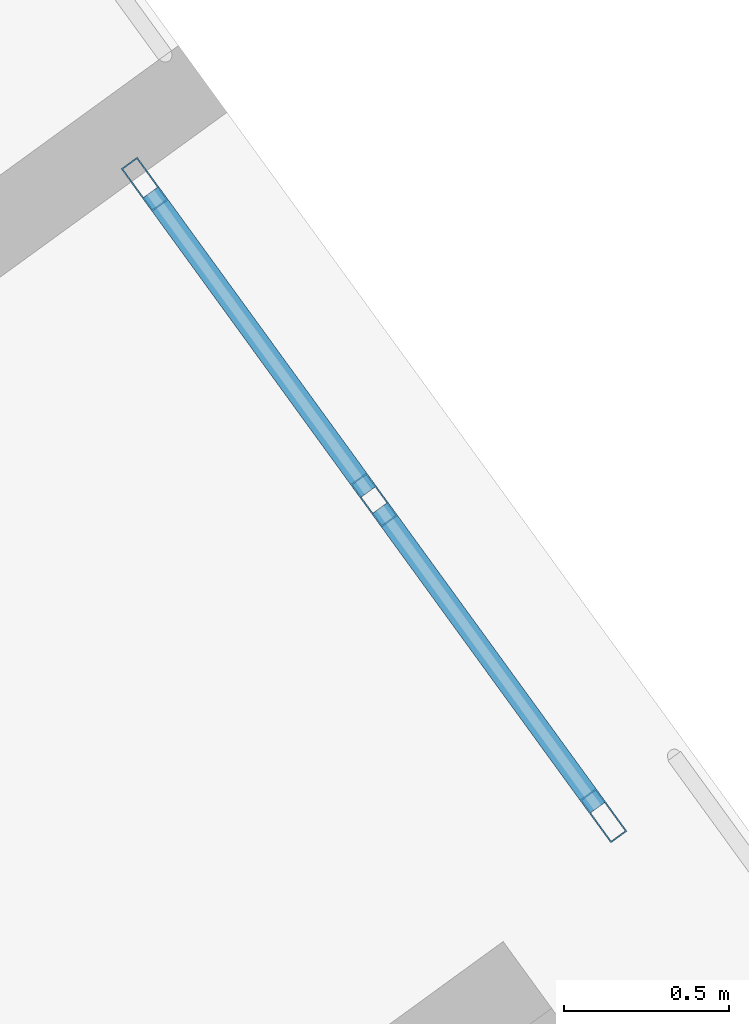
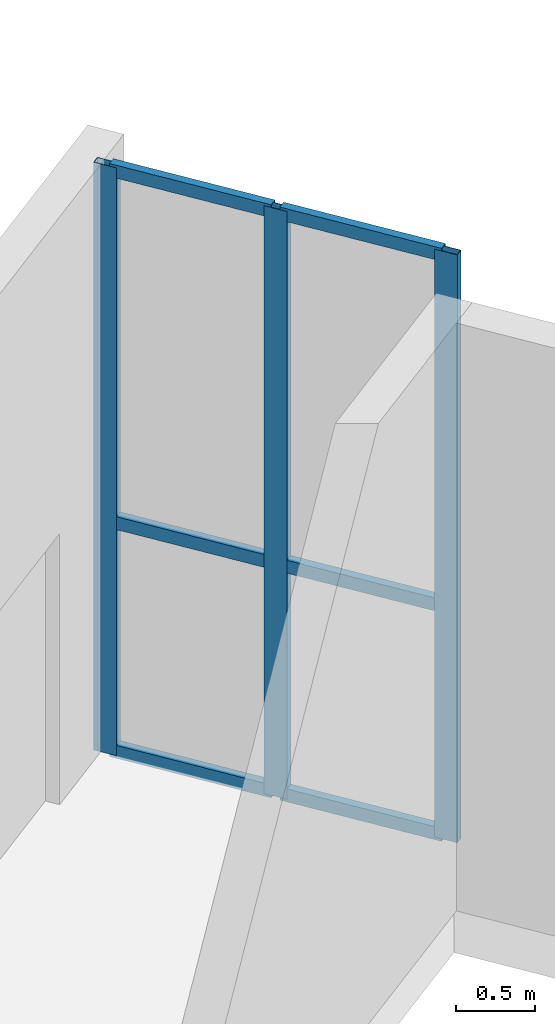
# One storey, part 89 of 182: 9 members, 1 element without a shape of its own.
"""IFC4 building model written with IfcOpenShell, lengths in metres."""

from ifc_helpers import new_model, si_unit, direction, frame, origin, origin_2d, place, context, subcontext, project, spatial, hollow_rectangle, extrude, material, material_profile, profile_set, type_object, element, aggregate, save


model = new_model("IFC4")

# Units and contexts
model_context = context("Model", 3, precision=1e-05, world=origin(), true_north=direction((0.0, 1.0)))
body_context = subcontext(model_context, "Body", "Model", "MODEL_VIEW")
ifc_project = project(units=[si_unit("LENGTHUNIT", "METRE"), si_unit("AREAUNIT", "SQUARE_METRE"), si_unit("VOLUMEUNIT", "CUBIC_METRE"), si_unit("PLANEANGLEUNIT", "RADIAN"), si_unit("MASSUNIT", "GRAM", prefix="KILO")], contexts=[model_context])

# Site, building, storey
site_placement = place(None, origin())
site = spatial("IfcSite", under=ifc_project, at=site_placement, CompositionType="ELEMENT")
building_placement = place(site_placement, origin())
building = spatial("IfcBuilding", under=site, at=building_placement, Name="Okhra Congress Centre", CompositionType="ELEMENT")
storey_placement = place(building_placement, frame((0.0, 0.0, 7.199951171875)))
storey = spatial("IfcBuildingStorey", under=building, at=storey_placement, Name="L01", CompositionType="ELEMENT", Elevation=7.199951171875)

# Curtain wall, members
ifc_material_1 = material(Name="Aluminium curtain wall, triple glazing", Category="aluminium")
curtain_wall_type = type_object("IfcCurtainWallType", Name="Curtain wall 1500 module", PredefinedType="NOTDEFINED", material=ifc_material_1)
curtain_wall_placement = place(storey_placement, origin())
curtain_wall = element("IfcCurtainWall", 1, at=curtain_wall_placement, inside=storey, type_object=curtain_wall_type, Name="Lounge glazing S", PredefinedType="NOTDEFINED")
ifc_material_2 = material(Name="Aluminium alloy EN AW-6063 T66", Category="aluminium")
ifc_material_profile_1 = material_profile(ifc_material_2, hollow_rectangle(XDim=0.06005859375, YDim=0.159912109375, WallThickness=0.00390625, at=origin_2d()), Name="RHS 60x160x4")
ifc_profile_set_1 = profile_set([ifc_material_profile_1], Name="Aluminium alloy EN AW-6063 T66")
member_type_1 = type_object("IfcMemberType", Name="Curtain wall mullion 60x160", PredefinedType="MULLION", material=ifc_profile_set_1)
member_1_placement = place(storey_placement, frame((239.50537109375, 176.91015625, 0.0), z_axis=(0.0, 0.0, 1.0), x_axis=(-0.809016994426, -0.587785252222, 0.0)))
member_1 = element("IfcMember", 2, at=member_1_placement, type_object=member_type_1, Name="CW7 mullion 1", PredefinedType="MULLION", context=body_context, shape_type="SweptSolid", body=[
    extrude(hollow_rectangle(XDim=0.06005859375, YDim=0.159912109375, WallThickness=0.00390625, at=origin_2d()), origin(), (0.0, 0.0, 1.0), 4.550048828125),
])
member_2_placement = place(storey_placement, frame((238.810302734375, 177.86669921875, 0.0), z_axis=(0.0, 0.0, 1.0), x_axis=(-0.809016994426, -0.587785252222, 0.0)))
member_2 = element("IfcMember", 3, at=member_2_placement, type_object=member_type_1, Name="CW7 mullion 2", PredefinedType="MULLION", context=body_context, shape_type="SweptSolid", body=[
    extrude(hollow_rectangle(XDim=0.06005859375, YDim=0.159912109375, WallThickness=0.00390625, at=origin_2d()), origin(), (0.0, 0.0, 1.0), 4.550048828125),
])
member_3_placement = place(storey_placement, frame((238.115234375, 178.823486328125, 0.0), z_axis=(0.0, 0.0, 1.0), x_axis=(-0.809016994426, -0.587785252222, 0.0)))
member_3 = element("IfcMember", 4, at=member_3_placement, type_object=member_type_1, Name="CW7 mullion 3", PredefinedType="MULLION", context=body_context, shape_type="SweptSolid", body=[
    extrude(hollow_rectangle(XDim=0.06005859375, YDim=0.159912109375, WallThickness=0.00390625, at=origin_2d()), origin(), (0.0, 0.0, 1.0), 4.550048828125),
])
ifc_material_profile_2 = material_profile(ifc_material_2, hollow_rectangle(XDim=0.06005859375, YDim=0.10009765625, WallThickness=0.00390625, at=origin_2d()), Name="RHS 60x100x4")
ifc_profile_set_2 = profile_set([ifc_material_profile_2], Name="Aluminium alloy EN AW-6063 T66")
member_type_2 = type_object("IfcMemberType", Name="Curtain wall transom 60x100", PredefinedType="USERDEFINED", material=ifc_profile_set_2)
member_4_placement = place(storey_placement, frame((239.48779296875, 176.934326171875, 0.030029296875), z_axis=(-0.587822514699, 0.808989920341, 0.0), x_axis=(-0.808989920341, -0.587822514699, 0.0)))
member_4 = element("IfcMember", 5, at=member_4_placement, type_object=member_type_2, Name="CW7 transom 1.1", ObjectType="TRANSOM", PredefinedType="USERDEFINED", context=body_context, shape_type="SweptSolid", body=[
    extrude(hollow_rectangle(XDim=0.06005859375, YDim=0.10009765625, WallThickness=0.00390625, at=origin_2d()), origin(), (0.0, 0.0, 1.0), 1.12255859375),
])
member_5_placement = place(storey_placement, frame((239.48779296875, 176.934326171875, 1.800048828125), z_axis=(-0.587822514699, 0.808989920341, 0.0), x_axis=(-0.808989920341, -0.587822514699, 0.0)))
member_5 = element("IfcMember", 6, at=member_5_placement, type_object=member_type_2, Name="CW7 transom 1.2", ObjectType="TRANSOM", PredefinedType="USERDEFINED", context=body_context, shape_type="SweptSolid", body=[
    extrude(hollow_rectangle(XDim=0.06005859375, YDim=0.10009765625, WallThickness=0.00390625, at=origin_2d()), origin(), (0.0, 0.0, 1.0), 1.12255859375),
])
member_6_placement = place(storey_placement, frame((239.48779296875, 176.934326171875, 4.52001953125), z_axis=(-0.587822514699, 0.808989920341, 0.0), x_axis=(-0.808989920341, -0.587822514699, 0.0)))
member_6 = element("IfcMember", 7, at=member_6_placement, type_object=member_type_2, Name="CW7 transom 1.3", ObjectType="TRANSOM", PredefinedType="USERDEFINED", context=body_context, shape_type="SweptSolid", body=[
    extrude(hollow_rectangle(XDim=0.06005859375, YDim=0.10009765625, WallThickness=0.00390625, at=origin_2d()), origin(), (0.0, 0.0, 1.0), 1.12255859375),
])
member_7_placement = place(storey_placement, frame((238.792724609375, 177.89111328125, 0.030029296875), z_axis=(-0.587783591911, 0.80901820071, 0.0), x_axis=(-0.80901820071, -0.587783591911, 0.0)))
member_7 = element("IfcMember", 8, at=member_7_placement, type_object=member_type_2, Name="CW7 transom 2.1", ObjectType="TRANSOM", PredefinedType="USERDEFINED", context=body_context, shape_type="SweptSolid", body=[
    extrude(hollow_rectangle(XDim=0.06005859375, YDim=0.10009765625, WallThickness=0.00390625, at=origin_2d()), origin(), (0.0, 0.0, 1.0), 1.122314453125),
])
member_8_placement = place(storey_placement, frame((238.792724609375, 177.89111328125, 1.800048828125), z_axis=(-0.587783591911, 0.80901820071, 0.0), x_axis=(-0.80901820071, -0.587783591911, 0.0)))
member_8 = element("IfcMember", 9, at=member_8_placement, type_object=member_type_2, Name="CW7 transom 2.2", ObjectType="TRANSOM", PredefinedType="USERDEFINED", context=body_context, shape_type="SweptSolid", body=[
    extrude(hollow_rectangle(XDim=0.06005859375, YDim=0.10009765625, WallThickness=0.00390625, at=origin_2d()), origin(), (0.0, 0.0, 1.0), 1.122314453125),
])
member_9_placement = place(storey_placement, frame((238.792724609375, 177.89111328125, 4.52001953125), z_axis=(-0.587783591911, 0.80901820071, 0.0), x_axis=(-0.80901820071, -0.587783591911, 0.0)))
member_9 = element("IfcMember", 10, at=member_9_placement, type_object=member_type_2, Name="CW7 transom 2.3", ObjectType="TRANSOM", PredefinedType="USERDEFINED", context=body_context, shape_type="SweptSolid", body=[
    extrude(hollow_rectangle(XDim=0.06005859375, YDim=0.10009765625, WallThickness=0.00390625, at=origin_2d()), origin(), (0.0, 0.0, 1.0), 1.122314453125),
])
aggregate(curtain_wall, [member_1, member_2, member_3, member_4, member_5, member_6, member_7, member_8, member_9])

save(model, "model.ifc")
